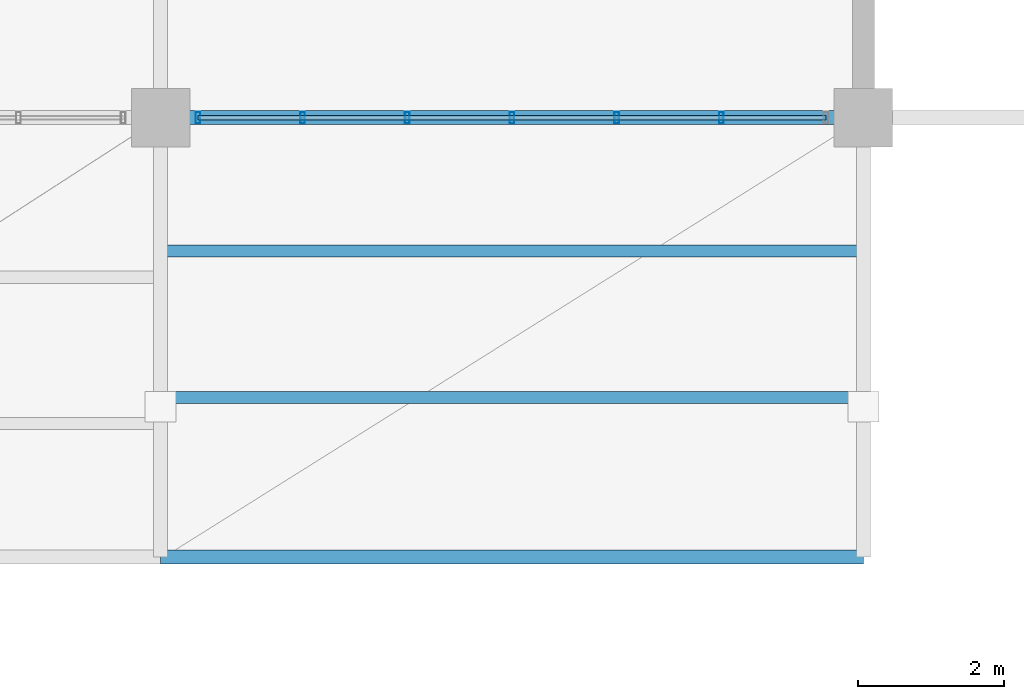
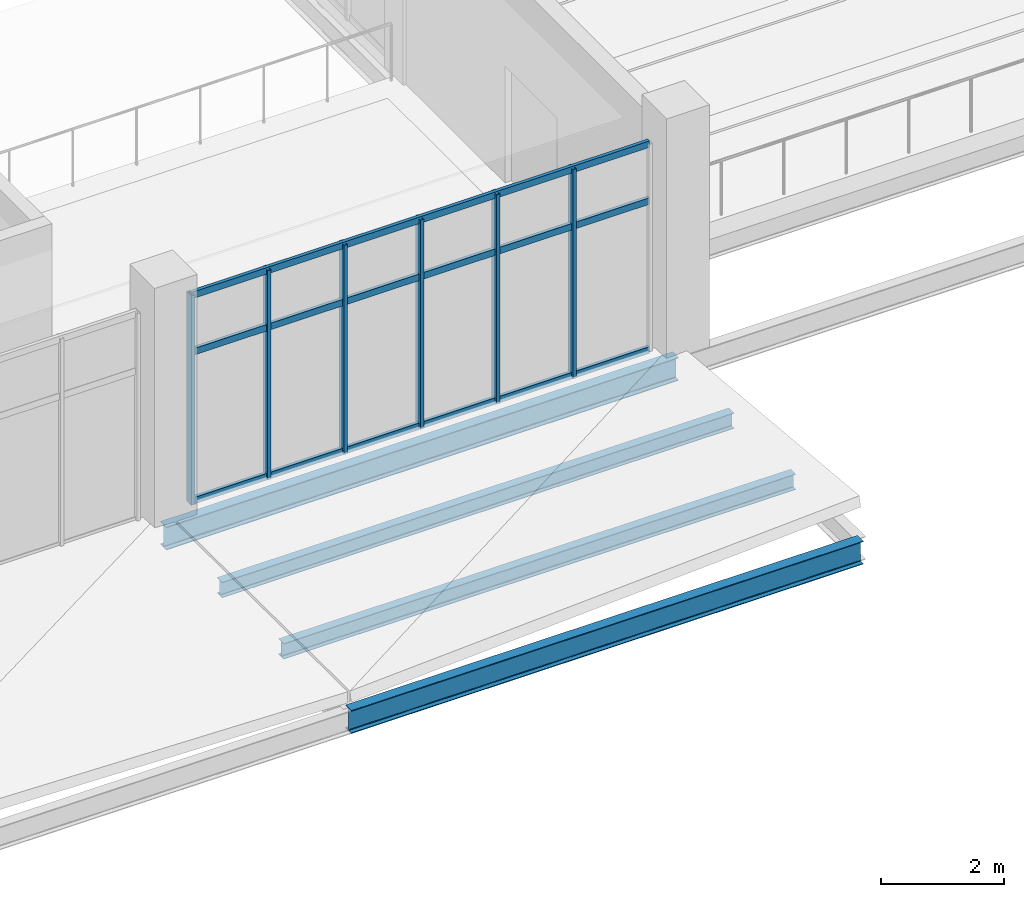
# One storey, part 55 of 157: 9 members, 4 beams, 1 element without a shape of its own.
"""IFC4 building model written with IfcOpenShell, lengths in metres."""

from ifc_helpers import new_model, si_unit, direction, frame, origin, origin_2d, place, context, subcontext, project, spatial, hollow_rectangle, i_section, extrude, material, layer, layer_set, material_profile, profile_set, type_object, element, aggregate, save


model = new_model("IFC4")

# Units and contexts
model_context = context("Model", 3, precision=1e-05, world=origin(), true_north=direction((0.0, 1.0)))
body_context = subcontext(model_context, "Body", "Model", "MODEL_VIEW")
ifc_project = project(units=[si_unit("LENGTHUNIT", "METRE"), si_unit("AREAUNIT", "SQUARE_METRE"), si_unit("VOLUMEUNIT", "CUBIC_METRE"), si_unit("PLANEANGLEUNIT", "RADIAN"), si_unit("MASSUNIT", "GRAM", prefix="KILO")], contexts=[model_context])

# Site, building, storey
site_placement = place(None, origin())
site = spatial("IfcSite", under=ifc_project, at=site_placement, CompositionType="ELEMENT")
building_placement = place(site_placement, origin())
building = spatial("IfcBuilding", under=site, at=building_placement, Name="Chalmorin Arch Market", CompositionType="ELEMENT")
storey_placement = place(building_placement, frame((0.0, 0.0, 4.800048828125)))
storey = spatial("IfcBuildingStorey", under=building, at=storey_placement, Name="L01", CompositionType="ELEMENT", Elevation=4.800048828125)

# Curtain wall, members
ifc_material_1 = material(Name="Aluminium 6063-T6", Category="aluminium")
ifc_layer = layer(ifc_material_1, 0.159912109375)
ifc_layer_set = layer_set([ifc_layer], Name="Aluminium 6063-T6")
curtain_wall_type = type_object("IfcCurtainWallType", Name="MarketClerestoryCurtainWall-CW1-8580x4150", PredefinedType="NOTDEFINED", material=ifc_layer_set)
curtain_wall_placement = place(storey_placement, origin())
curtain_wall = element("IfcCurtainWall", 1, at=curtain_wall_placement, inside=storey, type_object=curtain_wall_type, Name="CW-01-022", PredefinedType="NOTDEFINED")
ifc_material_profile_1 = material_profile(ifc_material_1, hollow_rectangle(XDim=0.06494140625, YDim=0.159912109375, WallThickness=0.00390625, at=origin_2d()), Name="ALU65X160X4")
ifc_profile_set_1 = profile_set([ifc_material_profile_1], Name="Aluminium 6063-T6")
member_type_1 = type_object("IfcMemberType", Name="CurtainWallMullion-65x160", PredefinedType="MULLION", material=ifc_profile_set_1)
member_1_placement = place(storey_placement, frame((115.7099609375, 6.0, 0.0), z_axis=(0.0, 0.0, 1.0), x_axis=(1.0, 0.0, 0.0)))
member_1 = element("IfcMember", 2, at=member_1_placement, type_object=member_type_1, Name="ML-022-01", PredefinedType="MULLION", context=body_context, shape_type="SweptSolid", body=[
    extrude(hollow_rectangle(XDim=0.06494140625, YDim=0.159912109375, WallThickness=0.00390625, at=origin_2d()), origin(), (0.0, 0.0, 1.0), 4.14990234375),
])
member_2_placement = place(storey_placement, frame((117.139892578125, 6.0, 0.0), z_axis=(0.0, 0.0, 1.0), x_axis=(1.0, 0.0, 0.0)))
member_2 = element("IfcMember", 3, at=member_2_placement, type_object=member_type_1, Name="ML-022-02", PredefinedType="MULLION", context=body_context, shape_type="SweptSolid", body=[
    extrude(hollow_rectangle(XDim=0.06494140625, YDim=0.159912109375, WallThickness=0.00390625, at=origin_2d()), origin(), (0.0, 0.0, 1.0), 4.14990234375),
])
member_3_placement = place(storey_placement, frame((118.570068359375, 6.0, 0.0), z_axis=(0.0, 0.0, 1.0), x_axis=(1.0, 0.0, 0.0)))
member_3 = element("IfcMember", 4, at=member_3_placement, type_object=member_type_1, Name="ML-022-03", PredefinedType="MULLION", context=body_context, shape_type="SweptSolid", body=[
    extrude(hollow_rectangle(XDim=0.06494140625, YDim=0.159912109375, WallThickness=0.00390625, at=origin_2d()), origin(), (0.0, 0.0, 1.0), 4.14990234375),
])
member_4_placement = place(storey_placement, frame((120.0, 6.0, 0.0), z_axis=(0.0, 0.0, 1.0), x_axis=(1.0, 0.0, 0.0)))
member_4 = element("IfcMember", 5, at=member_4_placement, type_object=member_type_1, Name="ML-022-04", PredefinedType="MULLION", context=body_context, shape_type="SweptSolid", body=[
    extrude(hollow_rectangle(XDim=0.06494140625, YDim=0.159912109375, WallThickness=0.00390625, at=origin_2d()), origin(), (0.0, 0.0, 1.0), 4.14990234375),
])
member_5_placement = place(storey_placement, frame((121.429931640625, 6.0, 0.0), z_axis=(0.0, 0.0, 1.0), x_axis=(1.0, 0.0, 0.0)))
member_5 = element("IfcMember", 6, at=member_5_placement, type_object=member_type_1, Name="ML-022-05", PredefinedType="MULLION", context=body_context, shape_type="SweptSolid", body=[
    extrude(hollow_rectangle(XDim=0.06494140625, YDim=0.159912109375, WallThickness=0.00390625, at=origin_2d()), origin(), (0.0, 0.0, 1.0), 4.14990234375),
])
member_6_placement = place(storey_placement, frame((122.860107421875, 6.0, 0.0), z_axis=(0.0, 0.0, 1.0), x_axis=(1.0, 0.0, 0.0)))
member_6 = element("IfcMember", 7, at=member_6_placement, type_object=member_type_1, Name="ML-022-06", PredefinedType="MULLION", context=body_context, shape_type="SweptSolid", body=[
    extrude(hollow_rectangle(XDim=0.06494140625, YDim=0.159912109375, WallThickness=0.00390625, at=origin_2d()), origin(), (0.0, 0.0, 1.0), 4.14990234375),
])
ifc_material_profile_2 = material_profile(ifc_material_1, hollow_rectangle(XDim=0.06494140625, YDim=0.1298828125, WallThickness=0.00390625, at=origin_2d()), Name="ALU65X130X4")
ifc_profile_set_2 = profile_set([ifc_material_profile_2], Name="Aluminium 6063-T6")
member_type_2 = type_object("IfcMemberType", Name="CurtainWallTransom-65x130", PredefinedType="USERDEFINED", material=ifc_profile_set_2)
member_7_placement = place(storey_placement, frame((115.7099609375, 6.0, 0.034912109375), z_axis=(1.0, 0.0, 0.0), x_axis=(0.0, 1.0, 0.0)))
member_7 = element("IfcMember", 8, at=member_7_placement, type_object=member_type_2, Name="TR-022-01", ObjectType="TRANSOM", PredefinedType="USERDEFINED", context=body_context, shape_type="SweptSolid", body=[
    extrude(hollow_rectangle(XDim=0.06494140625, YDim=0.1298828125, WallThickness=0.00390625, at=origin_2d()), origin(), (0.0, 0.0, 1.0), 8.580078125),
])
member_8_placement = place(storey_placement, frame((115.7099609375, 6.0, 2.988037109375), z_axis=(1.0, 0.0, 0.0), x_axis=(0.0, 1.0, 0.0)))
member_8 = element("IfcMember", 9, at=member_8_placement, type_object=member_type_2, Name="TR-022-02", ObjectType="TRANSOM", PredefinedType="USERDEFINED", context=body_context, shape_type="SweptSolid", body=[
    extrude(hollow_rectangle(XDim=0.06494140625, YDim=0.1298828125, WallThickness=0.00390625, at=origin_2d()), origin(), (0.0, 0.0, 1.0), 8.580078125),
])
member_9_placement = place(storey_placement, frame((115.7099609375, 6.0, 4.114990234375), z_axis=(1.0, 0.0, 0.0), x_axis=(0.0, 1.0, 0.0)))
member_9 = element("IfcMember", 10, at=member_9_placement, type_object=member_type_2, Name="TR-022-03", ObjectType="TRANSOM", PredefinedType="USERDEFINED", context=body_context, shape_type="SweptSolid", body=[
    extrude(hollow_rectangle(XDim=0.06494140625, YDim=0.1298828125, WallThickness=0.00390625, at=origin_2d()), origin(), (0.0, 0.0, 1.0), 8.580078125),
])
aggregate(curtain_wall, [member_1, member_2, member_3, member_4, member_5, member_6, member_7, member_8, member_9])

# Beams
ifc_material_2 = material(Name="Steel A992 Grade 50", Category="steel")
ifc_material_profile_3 = material_profile(ifc_material_2, i_section(OverallWidth=0.19091796875, OverallDepth=0.45703125, WebThickness=0.009033203125, FlangeThickness=0.014404296875, FilletRadius=0.02001953125, at=origin_2d()), Name="W18X50")
ifc_profile_set_3 = profile_set([ifc_material_profile_3], Name="Steel A992 Grade 50")
beam_type_1 = type_object("IfcBeamType", Name="PerimeterSpandrelBeam-W18X50", PredefinedType="SPANDREL", material=ifc_profile_set_3)
for number, where, z_axis, x_axis, name in (
    (11, (115.199951171875, 6.0, -0.48046875), (1.0, 0.0, 0.0), (0.0, 1.0, 0.0), "SP-W18-0622"),
    (12, (115.199951171875, 0.0, -0.48046875), (1.0, 0.0, 0.0), (0.0, 1.0, 0.0), "SP-W18-1050"),
):
    element("IfcBeam", number, at=place(storey_placement, frame(where, z_axis=z_axis, x_axis=x_axis)), inside=storey, type_object=beam_type_1, Name=name, PredefinedType="SPANDREL", context=body_context, shape_type="SweptSolid", body=[
        extrude(i_section(OverallWidth=0.19091796875, OverallDepth=0.45703125, WebThickness=0.009033203125, FlangeThickness=0.014404296875, FilletRadius=0.02001953125, at=origin_2d()), origin(), (0.0, 0.0, 1.0), 9.60009765625),
    ])
ifc_material_profile_4 = material_profile(ifc_material_2, i_section(OverallWidth=0.1650390625, OverallDepth=0.31005859375, WebThickness=0.005859375, FlangeThickness=0.009765625, FilletRadius=0.014892578125, at=origin_2d()), Name="W12X26")
ifc_profile_set_4 = profile_set([ifc_material_profile_4], Name="Steel A992 Grade 50")
beam_type_2 = type_object("IfcBeamType", Name="SecondaryRoofJoist-W12X26", PredefinedType="JOIST", material=ifc_profile_set_4)
for number, where, z_axis, x_axis, name in (
    (13, (115.199951171875, 2.179931640625, -0.406982421875), (1.0, 0.0, 0.0), (0.0, 1.0, 0.0), "BJ-W12-1076"),
    (14, (115.199951171875, 4.179931640625, -0.406982421875), (1.0, 0.0, 0.0), (0.0, 1.0, 0.0), "BJ-W12-1077"),
):
    element("IfcBeam", number, at=place(storey_placement, frame(where, z_axis=z_axis, x_axis=x_axis)), inside=storey, type_object=beam_type_2, Name=name, PredefinedType="JOIST", context=body_context, shape_type="SweptSolid", body=[
        extrude(i_section(OverallWidth=0.1650390625, OverallDepth=0.31005859375, WebThickness=0.005859375, FlangeThickness=0.009765625, FilletRadius=0.014892578125, at=origin_2d()), origin(), (0.0, 0.0, 1.0), 9.60009765625),
    ])

save(model, "model.ifc")
